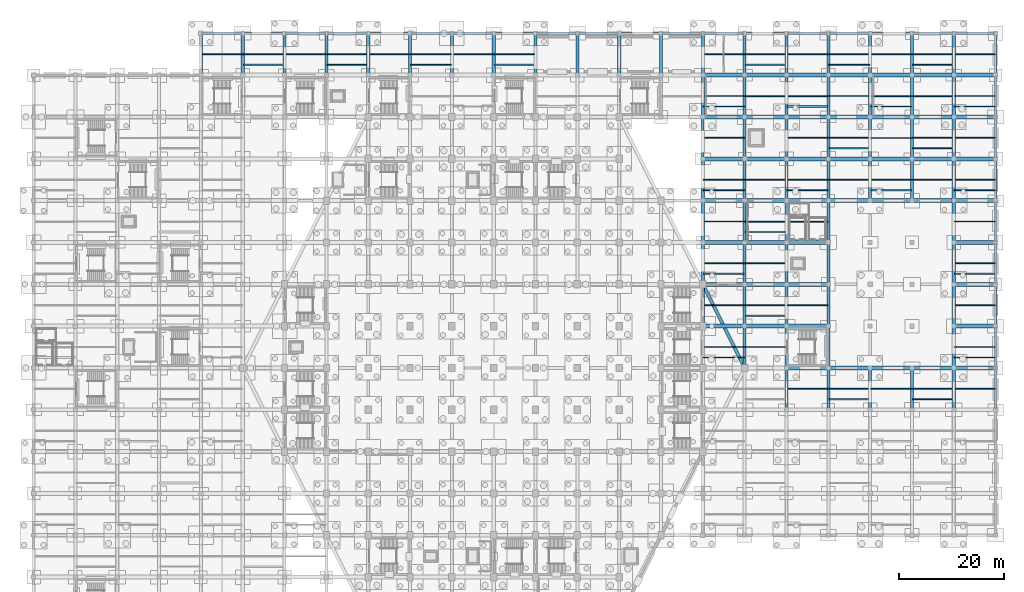
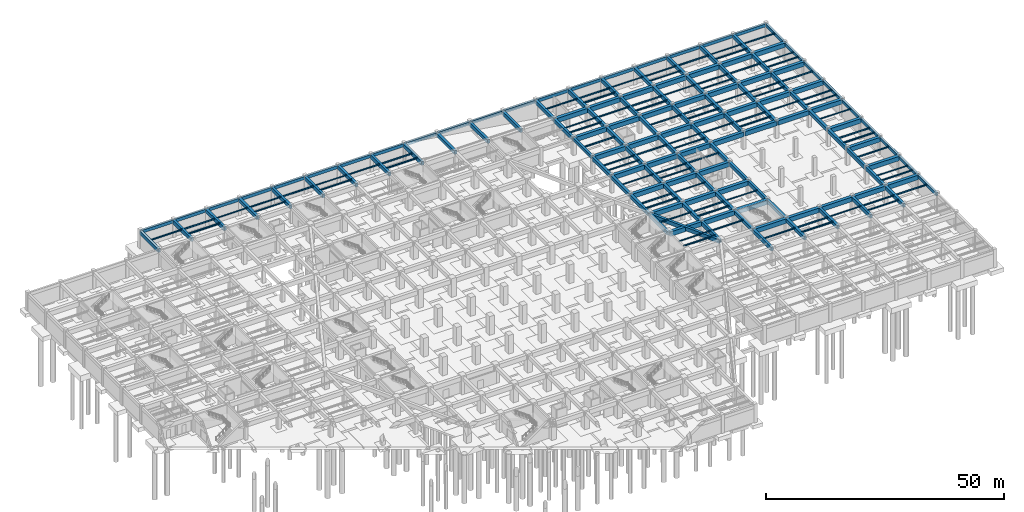
# One storey, part 20 of 36: 217 beams.
"""IFC4 building model written with IfcOpenShell, lengths in metres."""

from ifc_helpers import new_model, si_unit, direction, frame, origin, origin_2d, place, context, subcontext, project, spatial, rectangle, i_section, extrude, material, material_profile, profile_set, type_object, element, save


model = new_model("IFC4")

# Units and contexts
model_context = context("Model", 3, precision=1e-05, world=origin(), true_north=direction((0.0, 1.0)))
body_context = subcontext(model_context, "Body", "Model", "MODEL_VIEW")
ifc_project = project(units=[si_unit("LENGTHUNIT", "METRE"), si_unit("AREAUNIT", "SQUARE_METRE"), si_unit("VOLUMEUNIT", "CUBIC_METRE"), si_unit("PLANEANGLEUNIT", "RADIAN"), si_unit("MASSUNIT", "GRAM", prefix="KILO")], contexts=[model_context])

# Site, building, storey
site_placement = place(None, origin())
site = spatial("IfcSite", under=ifc_project, at=site_placement, CompositionType="ELEMENT")
building_placement = place(site_placement, origin())
building = spatial("IfcBuilding", under=site, at=building_placement, Name="Tazarka Park Arena", CompositionType="ELEMENT")
storey_placement = place(building_placement, frame((0.0, 0.0, -4.800048828125)))
storey = spatial("IfcBuildingStorey", under=building, at=storey_placement, Name="B1", CompositionType="ELEMENT", Elevation=-4.800048828125)

# Beams
ifc_material_1 = material(Name="Concrete C40/50", Category="concrete")
ifc_material_profile_1 = material_profile(ifc_material_1, rectangle(XDim=0.60009765625, YDim=0.949951171875, at=origin_2d()), Name="Concrete C40/50")
ifc_profile_set_1 = profile_set([ifc_material_profile_1], Name="Concrete C40/50")
beam_type_1 = type_object("IfcBeamType", Name="BM-B-03", PredefinedType="BEAM", material=ifc_profile_set_1)
for number, where, z_axis, x_axis, name in (
    (1, (32.0, 120.1201171875, 3.945068359375), (0.0, 1.0, 0.0), (-1.0, 0.0, 0.0), "GYM-B1-04-15"),
    (2, (40.0, 120.1201171875, 3.945068359375), (0.0, 1.0, 0.0), (-1.0, 0.0, 0.0), "GYM-B1-05-15"),
    (3, (48.0, 120.1201171875, 3.945068359375), (0.0, 1.0, 0.0), (-1.0, 0.0, 0.0), "GYM-B1-06-15"),
    (4, (56.0, 120.1201171875, 3.945068359375), (0.0, 1.0, 0.0), (-1.0, 0.0, 0.0), "GYM-B1-07-15"),
    (5, (64.0, 120.1201171875, 3.945068359375), (0.0, 1.0, 0.0), (-1.0, 0.0, 0.0), "GYM-B1-08-15"),
    (6, (72.0, 120.1201171875, 3.945068359375), (0.0, 1.0, 0.0), (-1.0, 0.0, 0.0), "GYM-B1-09-15"),
    (7, (80.0, 120.1201171875, 3.945068359375), (0.0, 1.0, 0.0), (-1.0, 0.0, 0.0), "GYM-B1-10-15"),
    (8, (88.0, 120.1201171875, 3.945068359375), (0.0, 1.0, 0.0), (-1.0, 0.0, 0.0), "GYM-B1-11-15"),
    (9, (96.0, 120.1201171875, 3.945068359375), (0.0, 1.0, 0.0), (-1.0, 0.0, 0.0), "GYM-B1-12-15"),
    (10, (104.0, 120.1201171875, 3.945068359375), (0.0, 1.0, 0.0), (-1.0, 0.0, 0.0), "GYM-B1-13-15"),
    (11, (112.0, 120.1201171875, 3.945068359375), (0.0, 1.0, 0.0), (-1.0, 0.0, 0.0), "GYM-B1-14-15"),
    (12, (120.0, 120.1201171875, 3.945068359375), (0.0, 1.0, 0.0), (-1.0, 0.0, 0.0), "GYM-B1-15-15"),
    (13, (128.0, 72.1201171875, 3.945068359375), (0.0, 1.0, 0.0), (-1.0, 0.0, 0.0), "GYM-B1-16-09"),
    (14, (128.0, 80.1201171875, 3.945068359375), (0.0, 1.0, 0.0), (-1.0, 0.0, 0.0), "GYM-B1-16-10"),
    (15, (128.0, 88.1201171875, 3.945068359375), (0.0, 1.0, 0.0), (-1.0, 0.0, 0.0), "GYM-B1-16-11"),
    (16, (128.0, 96.1201171875, 3.945068359375), (0.0, 1.0, 0.0), (-1.0, 0.0, 0.0), "GYM-B1-16-12"),
    (17, (128.0, 112.1201171875, 3.945068359375), (0.0, 1.0, 0.0), (-1.0, 0.0, 0.0), "GYM-B1-16-14"),
    (18, (128.0, 120.1201171875, 3.945068359375), (0.0, 1.0, 0.0), (-1.0, 0.0, 0.0), "GYM-B1-16-15"),
    (19, (136.0, 64.1201171875, 3.945068359375), (0.0, 1.0, 0.0), (-1.0, 0.0, 0.0), "GYM-B1-17-08"),
    (20, (136.0, 72.1201171875, 3.945068359375), (0.0, 1.0, 0.0), (-1.0, 0.0, 0.0), "GYM-B1-17-09"),
    (21, (136.0, 80.1201171875, 3.945068359375), (0.0, 1.0, 0.0), (-1.0, 0.0, 0.0), "GYM-B1-17-10"),
    (22, (136.0, 88.1201171875, 3.945068359375), (0.0, 1.0, 0.0), (-1.0, 0.0, 0.0), "GYM-B1-17-11"),
    (23, (136.0, 96.1201171875, 3.945068359375), (0.0, 1.0, 0.0), (-1.0, 0.0, 0.0), "GYM-B1-17-12"),
    (24, (136.0, 104.1201171875, 3.945068359375), (0.0, 1.0, 0.0), (-1.0, 0.0, 0.0), "GYM-B1-17-13"),
    (25, (136.0, 112.1201171875, 3.945068359375), (0.0, 1.0, 0.0), (-1.0, 0.0, 0.0), "GYM-B1-17-14"),
    (26, (136.0, 120.1201171875, 3.945068359375), (0.0, 1.0, 0.0), (-1.0, 0.0, 0.0), "GYM-B1-17-15"),
    (27, (144.0, 56.1201171875, 3.945068359375), (0.0, 1.0, 0.0), (-1.0, 0.0, 0.0), "GYM-B1-18-07"),
    (28, (144.0, 64.1201171875, 3.945068359375), (0.0, 1.0, 0.0), (-1.0, 0.0, 0.0), "GYM-B1-18-08"),
    (29, (144.0, 72.1201171875, 3.945068359375), (0.0, 1.0, 0.0), (-1.0, 0.0, 0.0), "GYM-B1-18-09"),
    (30, (144.0, 80.1201171875, 3.945068359375), (0.0, 1.0, 0.0), (-1.0, 0.0, 0.0), "GYM-B1-18-10"),
    (31, (144.0, 88.1201171875, 3.945068359375), (0.0, 1.0, 0.0), (-1.0, 0.0, 0.0), "GYM-B1-18-11"),
    (32, (144.0, 96.1201171875, 3.945068359375), (0.0, 1.0, 0.0), (-1.0, 0.0, 0.0), "GYM-B1-18-12"),
    (33, (144.0, 104.1201171875, 3.945068359375), (0.0, 1.0, 0.0), (-1.0, 0.0, 0.0), "GYM-B1-18-13"),
    (34, (144.0, 112.1201171875, 3.945068359375), (0.0, 1.0, 0.0), (-1.0, 0.0, 0.0), "GYM-B1-18-14"),
    (35, (144.0, 120.1201171875, 3.945068359375), (0.0, 1.0, 0.0), (-1.0, 0.0, 0.0), "GYM-B1-18-15"),
    (36, (152.0, 56.1201171875, 3.945068359375), (0.0, 1.0, 0.0), (-1.0, 0.0, 0.0), "GYM-B1-19-07"),
    (37, (152.0, 64.1201171875, 3.945068359375), (0.0, 1.0, 0.0), (-1.0, 0.0, 0.0), "GYM-B1-19-08"),
    (38, (152.0, 72.1201171875, 3.945068359375), (0.0, 1.0, 0.0), (-1.0, 0.0, 0.0), "GYM-B1-19-09"),
    (39, (152.0, 80.1201171875, 3.945068359375), (0.0, 1.0, 0.0), (-1.0, 0.0, 0.0), "GYM-B1-19-10"),
    (40, (152.0, 88.1201171875, 3.945068359375), (0.0, 1.0, 0.0), (-1.0, 0.0, 0.0), "GYM-B1-19-11"),
    (41, (152.0, 96.1201171875, 3.945068359375), (0.0, 1.0, 0.0), (-1.0, 0.0, 0.0), "GYM-B1-19-12"),
    (42, (152.0, 104.1201171875, 3.945068359375), (0.0, 1.0, 0.0), (-1.0, 0.0, 0.0), "GYM-B1-19-13"),
    (43, (152.0, 112.1201171875, 3.945068359375), (0.0, 1.0, 0.0), (-1.0, 0.0, 0.0), "GYM-B1-19-14"),
    (44, (152.0, 120.1201171875, 3.945068359375), (0.0, 1.0, 0.0), (-1.0, 0.0, 0.0), "GYM-B1-19-15"),
    (45, (160.0, 56.1201171875, 3.945068359375), (0.0, 1.0, 0.0), (-1.0, 0.0, 0.0), "GYM-B1-20-07"),
    (46, (160.0, 96.1201171875, 3.945068359375), (0.0, 1.0, 0.0), (-1.0, 0.0, 0.0), "GYM-B1-20-12"),
    (47, (160.0, 104.1201171875, 3.945068359375), (0.0, 1.0, 0.0), (-1.0, 0.0, 0.0), "GYM-B1-20-13"),
    (48, (160.0, 112.1201171875, 3.945068359375), (0.0, 1.0, 0.0), (-1.0, 0.0, 0.0), "GYM-B1-20-14"),
    (49, (160.0, 120.1201171875, 3.945068359375), (0.0, 1.0, 0.0), (-1.0, 0.0, 0.0), "GYM-B1-20-15"),
    (50, (168.0, 56.1201171875, 3.945068359375), (0.0, 1.0, 0.0), (-1.0, 0.0, 0.0), "GYM-B1-21-07"),
    (51, (168.0, 96.1201171875, 3.945068359375), (0.0, 1.0, 0.0), (-1.0, 0.0, 0.0), "GYM-B1-21-12"),
    (52, (168.0, 104.1201171875, 3.945068359375), (0.0, 1.0, 0.0), (-1.0, 0.0, 0.0), "GYM-B1-21-13"),
    (53, (168.0, 112.1201171875, 3.945068359375), (0.0, 1.0, 0.0), (-1.0, 0.0, 0.0), "GYM-B1-21-14"),
    (54, (168.0, 120.1201171875, 3.945068359375), (0.0, 1.0, 0.0), (-1.0, 0.0, 0.0), "GYM-B1-21-15"),
    (55, (176.0, 56.1201171875, 3.945068359375), (0.0, 1.0, 0.0), (-1.0, 0.0, 0.0), "GYM-B1-22-07"),
    (56, (176.0, 64.1201171875, 3.945068359375), (0.0, 1.0, 0.0), (-1.0, 0.0, 0.0), "GYM-B1-22-08"),
    (57, (176.0, 72.1201171875, 3.945068359375), (0.0, 1.0, 0.0), (-1.0, 0.0, 0.0), "GYM-B1-22-09"),
    (58, (176.0, 80.1201171875, 3.945068359375), (0.0, 1.0, 0.0), (-1.0, 0.0, 0.0), "GYM-B1-22-10"),
    (59, (176.0, 88.1201171875, 3.945068359375), (0.0, 1.0, 0.0), (-1.0, 0.0, 0.0), "GYM-B1-22-11"),
    (60, (176.0, 96.1201171875, 3.945068359375), (0.0, 1.0, 0.0), (-1.0, 0.0, 0.0), "GYM-B1-22-12"),
    (61, (176.0, 104.1201171875, 3.945068359375), (0.0, 1.0, 0.0), (-1.0, 0.0, 0.0), "GYM-B1-22-13"),
    (62, (176.0, 112.1201171875, 3.945068359375), (0.0, 1.0, 0.0), (-1.0, 0.0, 0.0), "GYM-B1-22-14"),
    (63, (176.0, 120.1201171875, 3.945068359375), (0.0, 1.0, 0.0), (-1.0, 0.0, 0.0), "GYM-B1-22-15"),
):
    element("IfcBeam", number, at=place(storey_placement, frame(where, z_axis=z_axis, x_axis=x_axis)), inside=storey, type_object=beam_type_1, Name=name, PredefinedType="BEAM", context=body_context, shape_type="SweptSolid", body=[
        extrude(rectangle(XDim=0.60009765625, YDim=0.949951171875, at=origin_2d()), origin(), (0.0, 0.0, 1.0), 7.759765625),
    ])
ifc_material_2 = material(Name="Concrete C40/50", Category="concrete")
ifc_material_profile_2 = material_profile(ifc_material_2, rectangle(XDim=0.75, YDim=1.14990234375, at=origin_2d()), Name="Concrete C40/50")
ifc_profile_set_2 = profile_set([ifc_material_profile_2], Name="Concrete C40/50")
beam_type_2 = type_object("IfcBeamType", Name="BM-B-04", PredefinedType="BEAM", material=ifc_profile_set_2)
for number, where, z_axis, x_axis, name in (
    (64, (128.1201171875, 72.0, 3.844970703125), (1.0, 0.0, 0.0), (0.0, 1.0, 0.0), "GXM-B1-16-09"),
    (65, (128.1201171875, 80.0, 3.844970703125), (1.0, 0.0, 0.0), (0.0, 1.0, 0.0), "GXM-B1-16-10"),
    (66, (128.1201171875, 88.0, 3.844970703125), (1.0, 0.0, 0.0), (0.0, 1.0, 0.0), "GXM-B1-16-11"),
    (67, (128.1201171875, 96.0, 3.844970703125), (1.0, 0.0, 0.0), (0.0, 1.0, 0.0), "GXM-B1-16-12"),
    (68, (128.1201171875, 104.0, 3.844970703125), (1.0, 0.0, 0.0), (0.0, 1.0, 0.0), "GXM-B1-16-13"),
    (69, (128.1201171875, 112.0, 3.844970703125), (1.0, 0.0, 0.0), (0.0, 1.0, 0.0), "GXM-B1-16-14"),
    (70, (128.1201171875, 120.0, 3.844970703125), (1.0, 0.0, 0.0), (0.0, 1.0, 0.0), "GXM-B1-16-15"),
    (71, (136.1201171875, 72.0, 3.844970703125), (1.0, 0.0, 0.0), (0.0, 1.0, 0.0), "GXM-B1-17-09"),
    (72, (136.1201171875, 80.0, 3.844970703125), (1.0, 0.0, 0.0), (0.0, 1.0, 0.0), "GXM-B1-17-10"),
    (73, (136.1201171875, 88.0, 3.844970703125), (1.0, 0.0, 0.0), (0.0, 1.0, 0.0), "GXM-B1-17-11"),
    (74, (136.1201171875, 96.0, 3.844970703125), (1.0, 0.0, 0.0), (0.0, 1.0, 0.0), "GXM-B1-17-12"),
    (75, (136.1201171875, 104.0, 3.844970703125), (1.0, 0.0, 0.0), (0.0, 1.0, 0.0), "GXM-B1-17-13"),
    (76, (136.1201171875, 112.0, 3.844970703125), (1.0, 0.0, 0.0), (0.0, 1.0, 0.0), "GXM-B1-17-14"),
    (77, (136.1201171875, 120.0, 3.844970703125), (1.0, 0.0, 0.0), (0.0, 1.0, 0.0), "GXM-B1-17-15"),
    (78, (144.1201171875, 64.0, 3.844970703125), (1.0, 0.0, 0.0), (0.0, 1.0, 0.0), "GXM-B1-18-08"),
    (79, (144.1201171875, 72.0, 3.844970703125), (1.0, 0.0, 0.0), (0.0, 1.0, 0.0), "GXM-B1-18-09"),
    (80, (144.1201171875, 80.0, 3.844970703125), (1.0, 0.0, 0.0), (0.0, 1.0, 0.0), "GXM-B1-18-10"),
    (81, (144.1201171875, 88.0, 3.844970703125), (1.0, 0.0, 0.0), (0.0, 1.0, 0.0), "GXM-B1-18-11"),
    (82, (144.1201171875, 96.0, 3.844970703125), (1.0, 0.0, 0.0), (0.0, 1.0, 0.0), "GXM-B1-18-12"),
    (83, (144.1201171875, 104.0, 3.844970703125), (1.0, 0.0, 0.0), (0.0, 1.0, 0.0), "GXM-B1-18-13"),
    (84, (144.1201171875, 112.0, 3.844970703125), (1.0, 0.0, 0.0), (0.0, 1.0, 0.0), "GXM-B1-18-14"),
    (85, (144.1201171875, 120.0, 3.844970703125), (1.0, 0.0, 0.0), (0.0, 1.0, 0.0), "GXM-B1-18-15"),
    (86, (152.1201171875, 64.0, 3.844970703125), (1.0, 0.0, 0.0), (0.0, 1.0, 0.0), "GXM-B1-19-08"),
    (87, (152.1201171875, 96.0, 3.844970703125), (1.0, 0.0, 0.0), (0.0, 1.0, 0.0), "GXM-B1-19-12"),
    (88, (152.1201171875, 104.0, 3.844970703125), (1.0, 0.0, 0.0), (0.0, 1.0, 0.0), "GXM-B1-19-13"),
    (89, (152.1201171875, 112.0, 3.844970703125), (1.0, 0.0, 0.0), (0.0, 1.0, 0.0), "GXM-B1-19-14"),
    (90, (152.1201171875, 120.0, 3.844970703125), (1.0, 0.0, 0.0), (0.0, 1.0, 0.0), "GXM-B1-19-15"),
    (91, (160.1201171875, 64.0, 3.844970703125), (1.0, 0.0, 0.0), (0.0, 1.0, 0.0), "GXM-B1-20-08"),
    (92, (160.1201171875, 96.0, 3.844970703125), (1.0, 0.0, 0.0), (0.0, 1.0, 0.0), "GXM-B1-20-12"),
    (93, (160.1201171875, 104.0, 3.844970703125), (1.0, 0.0, 0.0), (0.0, 1.0, 0.0), "GXM-B1-20-13"),
    (94, (160.1201171875, 112.0, 3.844970703125), (1.0, 0.0, 0.0), (0.0, 1.0, 0.0), "GXM-B1-20-14"),
    (95, (160.1201171875, 120.0, 3.844970703125), (1.0, 0.0, 0.0), (0.0, 1.0, 0.0), "GXM-B1-20-15"),
    (96, (168.1201171875, 64.0, 3.844970703125), (1.0, 0.0, 0.0), (0.0, 1.0, 0.0), "GXM-B1-21-08"),
    (97, (168.1201171875, 96.0, 3.844970703125), (1.0, 0.0, 0.0), (0.0, 1.0, 0.0), "GXM-B1-21-12"),
    (98, (168.1201171875, 104.0, 3.844970703125), (1.0, 0.0, 0.0), (0.0, 1.0, 0.0), "GXM-B1-21-13"),
    (99, (168.1201171875, 112.0, 3.844970703125), (1.0, 0.0, 0.0), (0.0, 1.0, 0.0), "GXM-B1-21-14"),
    (100, (168.1201171875, 120.0, 3.844970703125), (1.0, 0.0, 0.0), (0.0, 1.0, 0.0), "GXM-B1-21-15"),
    (101, (176.1201171875, 64.0, 3.844970703125), (1.0, 0.0, 0.0), (0.0, 1.0, 0.0), "GXM-B1-22-08"),
    (102, (176.1201171875, 72.0, 3.844970703125), (1.0, 0.0, 0.0), (0.0, 1.0, 0.0), "GXM-B1-22-09"),
    (103, (176.1201171875, 80.0, 3.844970703125), (1.0, 0.0, 0.0), (0.0, 1.0, 0.0), "GXM-B1-22-10"),
    (104, (176.1201171875, 88.0, 3.844970703125), (1.0, 0.0, 0.0), (0.0, 1.0, 0.0), "GXM-B1-22-11"),
    (105, (176.1201171875, 96.0, 3.844970703125), (1.0, 0.0, 0.0), (0.0, 1.0, 0.0), "GXM-B1-22-12"),
    (106, (176.1201171875, 104.0, 3.844970703125), (1.0, 0.0, 0.0), (0.0, 1.0, 0.0), "GXM-B1-22-13"),
    (107, (176.1201171875, 112.0, 3.844970703125), (1.0, 0.0, 0.0), (0.0, 1.0, 0.0), "GXM-B1-22-14"),
    (108, (176.1201171875, 120.0, 3.844970703125), (1.0, 0.0, 0.0), (0.0, 1.0, 0.0), "GXM-B1-22-15"),
):
    element("IfcBeam", number, at=place(storey_placement, frame(where, z_axis=z_axis, x_axis=x_axis)), inside=storey, type_object=beam_type_2, Name=name, PredefinedType="BEAM", context=body_context, shape_type="SweptSolid", body=[
        extrude(rectangle(XDim=0.75, YDim=1.14990234375, at=origin_2d()), origin(), (0.0, 0.0, 1.0), 7.759765625),
    ])
ifc_material_3 = material(Name="Steel S355", Category="steel")
ifc_material_profile_3 = material_profile(ifc_material_3, i_section(OverallWidth=0.14990234375, OverallDepth=0.300048828125, WebThickness=0.007080078125, FlangeThickness=0.0107421875, FilletRadius=0.014892578125, at=origin_2d()), Name="Steel S355")
ifc_profile_set_3 = profile_set([ifc_material_profile_3], Name="Steel S355")
beam_type_3 = type_object("IfcBeamType", Name="BM-J-01", PredefinedType="JOIST", material=ifc_profile_set_3)
for number, where, z_axis, x_axis, name in (
    (109, (48.1201171875, 124.0, 4.27001953125), (1.0, 0.0, 0.0), (0.0, 1.0, 0.0), "JST-B1-06-15"),
    (110, (72.1201171875, 124.0, 4.27001953125), (1.0, 0.0, 0.0), (0.0, 1.0, 0.0), "JST-B1-09-15"),
    (111, (128.1201171875, 68.0, 4.27001953125), (1.0, 0.0, 0.0), (0.0, 1.0, 0.0), "JST-B1-16-08"),
    (112, (128.1201171875, 92.0, 4.27001953125), (1.0, 0.0, 0.0), (0.0, 1.0, 0.0), "JST-B1-16-11"),
    (113, (128.1201171875, 116.0, 4.27001953125), (1.0, 0.0, 0.0), (0.0, 1.0, 0.0), "JST-B1-16-14"),
    (114, (136.1201171875, 84.0, 4.27001953125), (1.0, 0.0, 0.0), (0.0, 1.0, 0.0), "JST-B1-17-10"),
    (115, (144.1201171875, 76.0, 4.27001953125), (1.0, 0.0, 0.0), (0.0, 1.0, 0.0), "JST-B1-18-09"),
    (116, (144.1201171875, 100.0, 4.27001953125), (1.0, 0.0, 0.0), (0.0, 1.0, 0.0), "JST-B1-18-12"),
    (117, (144.1201171875, 124.0, 4.27001953125), (1.0, 0.0, 0.0), (0.0, 1.0, 0.0), "JST-B1-18-15"),
    (118, (152.1201171875, 116.0, 4.27001953125), (1.0, 0.0, 0.0), (0.0, 1.0, 0.0), "JST-B1-19-14"),
    (119, (160.1201171875, 60.0, 4.27001953125), (1.0, 0.0, 0.0), (0.0, 1.0, 0.0), "JST-B1-20-07"),
    (120, (160.1201171875, 108.0, 4.27001953125), (1.0, 0.0, 0.0), (0.0, 1.0, 0.0), "JST-B1-20-13"),
    (121, (168.1201171875, 100.0, 4.27001953125), (1.0, 0.0, 0.0), (0.0, 1.0, 0.0), "JST-B1-21-12"),
    (122, (168.1201171875, 124.0, 4.27001953125), (1.0, 0.0, 0.0), (0.0, 1.0, 0.0), "JST-B1-21-15"),
    (123, (176.1201171875, 68.0, 4.27001953125), (1.0, 0.0, 0.0), (0.0, 1.0, 0.0), "JST-B1-22-08"),
    (124, (176.1201171875, 92.0, 4.27001953125), (1.0, 0.0, 0.0), (0.0, 1.0, 0.0), "JST-B1-22-11"),
    (125, (176.1201171875, 116.0, 4.27001953125), (1.0, 0.0, 0.0), (0.0, 1.0, 0.0), "JST-B1-22-14"),
):
    element("IfcBeam", number, at=place(storey_placement, frame(where, z_axis=z_axis, x_axis=x_axis)), inside=storey, type_object=beam_type_3, Name=name, PredefinedType="JOIST", context=body_context, shape_type="SweptSolid", body=[
        extrude(i_section(OverallWidth=0.14990234375, OverallDepth=0.300048828125, WebThickness=0.007080078125, FlangeThickness=0.0107421875, FilletRadius=0.014892578125, at=origin_2d()), origin(), (0.0, 0.0, 1.0), 7.759765625),
    ])
ifc_material_4 = material(Name="Steel S355", Category="steel")
ifc_material_profile_4 = material_profile(ifc_material_4, i_section(OverallWidth=0.169921875, OverallDepth=0.360107421875, WebThickness=0.008056640625, FlangeThickness=0.0126953125, FilletRadius=0.01806640625, at=origin_2d()), Name="Steel S355")
ifc_profile_set_4 = profile_set([ifc_material_profile_4], Name="Steel S355")
beam_type_4 = type_object("IfcBeamType", Name="BM-J-02", PredefinedType="JOIST", material=ifc_profile_set_4)
for number, where, z_axis, x_axis, name in (
    (126, (32.1201171875, 124.0, 4.239990234375), (1.0, 0.0, 0.0), (0.0, 1.0, 0.0), "JST-B1-04-15"),
    (127, (56.1201171875, 124.0, 4.239990234375), (1.0, 0.0, 0.0), (0.0, 1.0, 0.0), "JST-B1-07-15"),
    (128, (80.1201171875, 124.0, 4.239990234375), (1.0, 0.0, 0.0), (0.0, 1.0, 0.0), "JST-B1-10-15"),
    (129, (128.1201171875, 76.0, 4.239990234375), (1.0, 0.0, 0.0), (0.0, 1.0, 0.0), "JST-B1-16-09"),
    (130, (128.1201171875, 100.0, 4.239990234375), (1.0, 0.0, 0.0), (0.0, 1.0, 0.0), "JST-B1-16-12"),
    (131, (128.1201171875, 124.0, 4.239990234375), (1.0, 0.0, 0.0), (0.0, 1.0, 0.0), "JST-B1-16-15"),
    (132, (136.1201171875, 68.0, 4.239990234375), (1.0, 0.0, 0.0), (0.0, 1.0, 0.0), "JST-B1-17-08"),
    (133, (136.1201171875, 92.0, 4.239990234375), (1.0, 0.0, 0.0), (0.0, 1.0, 0.0), "JST-B1-17-11"),
    (134, (136.1201171875, 116.0, 4.239990234375), (1.0, 0.0, 0.0), (0.0, 1.0, 0.0), "JST-B1-17-14"),
    (135, (144.1201171875, 60.0, 4.239990234375), (1.0, 0.0, 0.0), (0.0, 1.0, 0.0), "JST-B1-18-07"),
    (136, (144.1201171875, 108.0, 4.239990234375), (1.0, 0.0, 0.0), (0.0, 1.0, 0.0), "JST-B1-18-13"),
    (137, (152.1201171875, 100.0, 4.239990234375), (1.0, 0.0, 0.0), (0.0, 1.0, 0.0), "JST-B1-19-12"),
    (138, (152.1201171875, 124.0, 4.239990234375), (1.0, 0.0, 0.0), (0.0, 1.0, 0.0), "JST-B1-19-15"),
    (139, (160.1201171875, 116.0, 4.239990234375), (1.0, 0.0, 0.0), (0.0, 1.0, 0.0), "JST-B1-20-14"),
    (140, (168.1201171875, 60.0, 4.239990234375), (1.0, 0.0, 0.0), (0.0, 1.0, 0.0), "JST-B1-21-07"),
    (141, (168.1201171875, 108.0, 4.239990234375), (1.0, 0.0, 0.0), (0.0, 1.0, 0.0), "JST-B1-21-13"),
    (142, (176.1201171875, 76.0, 4.239990234375), (1.0, 0.0, 0.0), (0.0, 1.0, 0.0), "JST-B1-22-09"),
    (143, (176.1201171875, 100.0, 4.239990234375), (1.0, 0.0, 0.0), (0.0, 1.0, 0.0), "JST-B1-22-12"),
    (144, (176.1201171875, 124.0, 4.239990234375), (1.0, 0.0, 0.0), (0.0, 1.0, 0.0), "JST-B1-22-15"),
):
    element("IfcBeam", number, at=place(storey_placement, frame(where, z_axis=z_axis, x_axis=x_axis)), inside=storey, type_object=beam_type_4, Name=name, PredefinedType="JOIST", context=body_context, shape_type="SweptSolid", body=[
        extrude(i_section(OverallWidth=0.169921875, OverallDepth=0.360107421875, WebThickness=0.008056640625, FlangeThickness=0.0126953125, FilletRadius=0.01806640625, at=origin_2d()), origin(), (0.0, 0.0, 1.0), 7.759765625),
    ])
ifc_material_5 = material(Name="Steel S355", Category="steel")
ifc_material_profile_5 = material_profile(ifc_material_5, i_section(OverallWidth=0.179931640625, OverallDepth=0.39990234375, WebThickness=0.008544921875, FlangeThickness=0.013427734375, FilletRadius=0.02099609375, at=origin_2d()), Name="Steel S355")
ifc_profile_set_5 = profile_set([ifc_material_profile_5], Name="Steel S355")
beam_type_5 = type_object("IfcBeamType", Name="BM-J-03", PredefinedType="JOIST", material=ifc_profile_set_5)
for number, where, z_axis, x_axis, name in (
    (145, (40.1201171875, 124.0, 4.219970703125), (1.0, 0.0, 0.0), (0.0, 1.0, 0.0), "JST-B1-05-15"),
    (146, (64.1201171875, 124.0, 4.219970703125), (1.0, 0.0, 0.0), (0.0, 1.0, 0.0), "JST-B1-08-15"),
    (147, (88.1201171875, 124.0, 4.219970703125), (1.0, 0.0, 0.0), (0.0, 1.0, 0.0), "JST-B1-11-15"),
    (148, (128.1201171875, 84.0, 4.219970703125), (1.0, 0.0, 0.0), (0.0, 1.0, 0.0), "JST-B1-16-10"),
    (149, (128.1201171875, 108.0, 4.219970703125), (1.0, 0.0, 0.0), (0.0, 1.0, 0.0), "JST-B1-16-13"),
    (150, (136.1201171875, 76.0, 4.219970703125), (1.0, 0.0, 0.0), (0.0, 1.0, 0.0), "JST-B1-17-09"),
    (151, (136.1201171875, 100.0, 4.219970703125), (1.0, 0.0, 0.0), (0.0, 1.0, 0.0), "JST-B1-17-12"),
    (152, (136.1201171875, 124.0, 4.219970703125), (1.0, 0.0, 0.0), (0.0, 1.0, 0.0), "JST-B1-17-15"),
    (153, (144.1201171875, 92.0, 4.219970703125), (1.0, 0.0, 0.0), (0.0, 1.0, 0.0), "JST-B1-18-11"),
    (154, (144.1201171875, 116.0, 4.219970703125), (1.0, 0.0, 0.0), (0.0, 1.0, 0.0), "JST-B1-18-14"),
    (155, (152.1201171875, 60.0, 4.219970703125), (1.0, 0.0, 0.0), (0.0, 1.0, 0.0), "JST-B1-19-07"),
    (156, (152.1201171875, 108.0, 4.219970703125), (1.0, 0.0, 0.0), (0.0, 1.0, 0.0), "JST-B1-19-13"),
    (157, (160.1201171875, 100.0, 4.219970703125), (1.0, 0.0, 0.0), (0.0, 1.0, 0.0), "JST-B1-20-12"),
    (158, (160.1201171875, 124.0, 4.219970703125), (1.0, 0.0, 0.0), (0.0, 1.0, 0.0), "JST-B1-20-15"),
    (159, (168.1201171875, 116.0, 4.219970703125), (1.0, 0.0, 0.0), (0.0, 1.0, 0.0), "JST-B1-21-14"),
    (160, (176.1201171875, 60.0, 4.219970703125), (1.0, 0.0, 0.0), (0.0, 1.0, 0.0), "JST-B1-22-07"),
    (161, (176.1201171875, 84.0, 4.219970703125), (1.0, 0.0, 0.0), (0.0, 1.0, 0.0), "JST-B1-22-10"),
    (162, (176.1201171875, 108.0, 4.219970703125), (1.0, 0.0, 0.0), (0.0, 1.0, 0.0), "JST-B1-22-13"),
):
    element("IfcBeam", number, at=place(storey_placement, frame(where, z_axis=z_axis, x_axis=x_axis)), inside=storey, type_object=beam_type_5, Name=name, PredefinedType="JOIST", context=body_context, shape_type="SweptSolid", body=[
        extrude(i_section(OverallWidth=0.179931640625, OverallDepth=0.39990234375, WebThickness=0.008544921875, FlangeThickness=0.013427734375, FilletRadius=0.02099609375, at=origin_2d()), origin(), (0.0, 0.0, 1.0), 7.759765625),
    ])
ifc_material_6 = material(Name="Steel S355", Category="steel")
ifc_material_profile_6 = material_profile(ifc_material_6, i_section(OverallWidth=0.135009765625, OverallDepth=0.27001953125, WebThickness=0.006591796875, FlangeThickness=0.01025390625, FilletRadius=0.014892578125, at=origin_2d()), Name="Steel S355")
ifc_profile_set_6 = profile_set([ifc_material_profile_6], Name="Steel S355")
beam_type_6 = type_object("IfcBeamType", Name="BM-J-04", PredefinedType="JOIST", material=ifc_profile_set_6)
for number, where, z_axis, x_axis, name in (
    (163, (72.1201171875, 122.0, 4.28515625), (1.0, 0.0, 0.0), (0.0, 1.0, 0.0), "JST2-B1-09-15"),
    (164, (128.1201171875, 66.0, 4.28515625), (1.0, 0.0, 0.0), (0.0, 1.0, 0.0), "JST2-B1-16-08"),
    (165, (128.1201171875, 114.0, 4.28515625), (1.0, 0.0, 0.0), (0.0, 1.0, 0.0), "JST2-B1-16-14"),
    (166, (144.1201171875, 98.0, 4.28515625), (1.0, 0.0, 0.0), (0.0, 1.0, 0.0), "JST2-B1-18-12"),
    (167, (168.1201171875, 122.0, 4.28515625), (1.0, 0.0, 0.0), (0.0, 1.0, 0.0), "JST2-B1-21-15"),
    (168, (176.1201171875, 66.0, 4.28515625), (1.0, 0.0, 0.0), (0.0, 1.0, 0.0), "JST2-B1-22-08"),
    (169, (176.1201171875, 114.0, 4.28515625), (1.0, 0.0, 0.0), (0.0, 1.0, 0.0), "JST2-B1-22-14"),
):
    element("IfcBeam", number, at=place(storey_placement, frame(where, z_axis=z_axis, x_axis=x_axis)), inside=storey, type_object=beam_type_6, Name=name, PredefinedType="JOIST", context=body_context, shape_type="SweptSolid", body=[
        extrude(i_section(OverallWidth=0.135009765625, OverallDepth=0.27001953125, WebThickness=0.006591796875, FlangeThickness=0.01025390625, FilletRadius=0.014892578125, at=origin_2d()), origin(), (0.0, 0.0, 1.0), 7.759765625),
    ])
ifc_material_7 = material(Name="Steel S355", Category="steel")
ifc_material_profile_7 = material_profile(ifc_material_7, i_section(OverallWidth=0.159912109375, OverallDepth=0.330078125, WebThickness=0.007568359375, FlangeThickness=0.011474609375, FilletRadius=0.01806640625, at=origin_2d()), Name="Steel S355")
ifc_profile_set_7 = profile_set([ifc_material_profile_7], Name="Steel S355")
beam_type_7 = type_object("IfcBeamType", Name="BM-J-05", PredefinedType="JOIST", material=ifc_profile_set_7)
for number, where, z_axis, x_axis, name in (
    (170, (56.1201171875, 122.0, 4.255126953125), (1.0, 0.0, 0.0), (0.0, 1.0, 0.0), "JST2-B1-07-15"),
    (171, (128.1201171875, 98.0, 4.255126953125), (1.0, 0.0, 0.0), (0.0, 1.0, 0.0), "JST2-B1-16-12"),
    (172, (136.1201171875, 90.0, 4.255126953125), (1.0, 0.0, 0.0), (0.0, 1.0, 0.0), "JST2-B1-17-11"),
    (173, (152.1201171875, 122.0, 4.255126953125), (1.0, 0.0, 0.0), (0.0, 1.0, 0.0), "JST2-B1-19-15"),
    (174, (160.1201171875, 114.0, 4.255126953125), (1.0, 0.0, 0.0), (0.0, 1.0, 0.0), "JST2-B1-20-14"),
    (175, (168.1201171875, 58.0, 4.255126953125), (1.0, 0.0, 0.0), (0.0, 1.0, 0.0), "JST2-B1-21-07"),
    (176, (168.1201171875, 106.0, 4.255126953125), (1.0, 0.0, 0.0), (0.0, 1.0, 0.0), "JST2-B1-21-13"),
    (177, (176.1201171875, 98.0, 4.255126953125), (1.0, 0.0, 0.0), (0.0, 1.0, 0.0), "JST2-B1-22-12"),
):
    element("IfcBeam", number, at=place(storey_placement, frame(where, z_axis=z_axis, x_axis=x_axis)), inside=storey, type_object=beam_type_7, Name=name, PredefinedType="JOIST", context=body_context, shape_type="SweptSolid", body=[
        extrude(i_section(OverallWidth=0.159912109375, OverallDepth=0.330078125, WebThickness=0.007568359375, FlangeThickness=0.011474609375, FilletRadius=0.01806640625, at=origin_2d()), origin(), (0.0, 0.0, 1.0), 7.759765625),
    ])
ifc_material_8 = material(Name="Steel S355", Category="steel")
ifc_material_profile_8 = material_profile(ifc_material_8, i_section(OverallWidth=0.300048828125, OverallDepth=0.330078125, WebThickness=0.009521484375, FlangeThickness=0.0166015625, FilletRadius=0.027099609375, at=origin_2d()), Name="Steel S355")
ifc_profile_set_8 = profile_set([ifc_material_profile_8], Name="Steel S355")
beam_type_8 = type_object("IfcBeamType", Name="BM-J-06", PredefinedType="JOIST", material=ifc_profile_set_8)
for number, where, z_axis, x_axis, name in (
    (178, (40.1201171875, 122.0, 4.255126953125), (1.0, 0.0, 0.0), (0.0, 1.0, 0.0), "JST2-B1-05-15"),
    (179, (88.1201171875, 122.0, 4.255126953125), (1.0, 0.0, 0.0), (0.0, 1.0, 0.0), "JST2-B1-11-15"),
    (180, (128.1201171875, 82.0, 4.255126953125), (1.0, 0.0, 0.0), (0.0, 1.0, 0.0), "JST2-B1-16-10"),
    (181, (136.1201171875, 74.0, 4.255126953125), (1.0, 0.0, 0.0), (0.0, 1.0, 0.0), "JST2-B1-17-09"),
    (182, (136.1201171875, 122.0, 4.255126953125), (1.0, 0.0, 0.0), (0.0, 1.0, 0.0), "JST2-B1-17-15"),
    (183, (144.1201171875, 114.0, 4.255126953125), (1.0, 0.0, 0.0), (0.0, 1.0, 0.0), "JST2-B1-18-14"),
    (184, (152.1201171875, 58.0, 4.255126953125), (1.0, 0.0, 0.0), (0.0, 1.0, 0.0), "JST2-B1-19-07"),
    (185, (152.1201171875, 106.0, 4.255126953125), (1.0, 0.0, 0.0), (0.0, 1.0, 0.0), "JST2-B1-19-13"),
    (186, (160.1201171875, 98.0, 4.255126953125), (1.0, 0.0, 0.0), (0.0, 1.0, 0.0), "JST2-B1-20-12"),
    (187, (176.1201171875, 82.0, 4.255126953125), (1.0, 0.0, 0.0), (0.0, 1.0, 0.0), "JST2-B1-22-10"),
):
    element("IfcBeam", number, at=place(storey_placement, frame(where, z_axis=z_axis, x_axis=x_axis)), inside=storey, type_object=beam_type_8, Name=name, PredefinedType="JOIST", context=body_context, shape_type="SweptSolid", body=[
        extrude(i_section(OverallWidth=0.300048828125, OverallDepth=0.330078125, WebThickness=0.009521484375, FlangeThickness=0.0166015625, FilletRadius=0.027099609375, at=origin_2d()), origin(), (0.0, 0.0, 1.0), 7.759765625),
    ])
ifc_material_9 = material(Name="Concrete C40/50", Category="concrete")
ifc_material_profile_9 = material_profile(ifc_material_9, rectangle(XDim=0.5, YDim=0.800048828125, at=origin_2d()), Name="Concrete C40/50")
ifc_profile_set_9 = profile_set([ifc_material_profile_9], Name="Concrete C40/50")
beam_type_9 = type_object("IfcBeamType", Name="BM-SP-01", PredefinedType="SPANDREL", material=ifc_profile_set_9)
for number, where, z_axis, x_axis, name in (
    (188, (32.1201171875, 128.0, 4.02001953125), (1.0, 0.0, 0.0), (0.0, 1.0, 0.0), "GXM-B1-04-16"),
    (189, (40.1201171875, 128.0, 4.02001953125), (1.0, 0.0, 0.0), (0.0, 1.0, 0.0), "GXM-B1-05-16"),
    (190, (48.1201171875, 128.0, 4.02001953125), (1.0, 0.0, 0.0), (0.0, 1.0, 0.0), "GXM-B1-06-16"),
    (191, (56.1201171875, 128.0, 4.02001953125), (1.0, 0.0, 0.0), (0.0, 1.0, 0.0), "GXM-B1-07-16"),
    (192, (64.1201171875, 128.0, 4.02001953125), (1.0, 0.0, 0.0), (0.0, 1.0, 0.0), "GXM-B1-08-16"),
    (193, (72.1201171875, 128.0, 4.02001953125), (1.0, 0.0, 0.0), (0.0, 1.0, 0.0), "GXM-B1-09-16"),
    (194, (80.1201171875, 128.0, 4.02001953125), (1.0, 0.0, 0.0), (0.0, 1.0, 0.0), "GXM-B1-10-16"),
    (195, (88.1201171875, 128.0, 4.02001953125), (1.0, 0.0, 0.0), (0.0, 1.0, 0.0), "GXM-B1-11-16"),
    (196, (96.1201171875, 128.0, 4.02001953125), (1.0, 0.0, 0.0), (0.0, 1.0, 0.0), "GXM-B1-12-16"),
    (197, (104.1201171875, 128.0, 4.02001953125), (1.0, 0.0, 0.0), (0.0, 1.0, 0.0), "GXM-B1-13-16"),
    (198, (112.1201171875, 128.0, 4.02001953125), (1.0, 0.0, 0.0), (0.0, 1.0, 0.0), "GXM-B1-14-16"),
    (199, (120.1201171875, 128.0, 4.02001953125), (1.0, 0.0, 0.0), (0.0, 1.0, 0.0), "GXM-B1-15-16"),
    (200, (128.0, 104.1201171875, 4.02001953125), (0.0, 1.0, 0.0), (-1.0, 0.0, 0.0), "GYM-B1-16-13"),
    (201, (128.1201171875, 128.0, 4.02001953125), (1.0, 0.0, 0.0), (0.0, 1.0, 0.0), "GXM-B1-16-16"),
    (202, (136.1201171875, 128.0, 4.02001953125), (1.0, 0.0, 0.0), (0.0, 1.0, 0.0), "GXM-B1-17-16"),
    (203, (144.1201171875, 128.0, 4.02001953125), (1.0, 0.0, 0.0), (0.0, 1.0, 0.0), "GXM-B1-18-16"),
    (204, (152.1201171875, 128.0, 4.02001953125), (1.0, 0.0, 0.0), (0.0, 1.0, 0.0), "GXM-B1-19-16"),
    (205, (160.1201171875, 128.0, 4.02001953125), (1.0, 0.0, 0.0), (0.0, 1.0, 0.0), "GXM-B1-20-16"),
    (206, (168.1201171875, 128.0, 4.02001953125), (1.0, 0.0, 0.0), (0.0, 1.0, 0.0), "GXM-B1-21-16"),
    (207, (176.1201171875, 128.0, 4.02001953125), (1.0, 0.0, 0.0), (0.0, 1.0, 0.0), "GXM-B1-22-16"),
    (208, (184.0, 56.1201171875, 4.02001953125), (0.0, 1.0, 0.0), (-1.0, 0.0, 0.0), "GYM-B1-23-07"),
    (209, (184.0, 64.1201171875, 4.02001953125), (0.0, 1.0, 0.0), (-1.0, 0.0, 0.0), "GYM-B1-23-08"),
    (210, (184.0, 72.1201171875, 4.02001953125), (0.0, 1.0, 0.0), (-1.0, 0.0, 0.0), "GYM-B1-23-09"),
    (211, (184.0, 80.1201171875, 4.02001953125), (0.0, 1.0, 0.0), (-1.0, 0.0, 0.0), "GYM-B1-23-10"),
    (212, (184.0, 88.1201171875, 4.02001953125), (0.0, 1.0, 0.0), (-1.0, 0.0, 0.0), "GYM-B1-23-11"),
    (213, (184.0, 96.1201171875, 4.02001953125), (0.0, 1.0, 0.0), (-1.0, 0.0, 0.0), "GYM-B1-23-12"),
    (214, (184.0, 104.1201171875, 4.02001953125), (0.0, 1.0, 0.0), (-1.0, 0.0, 0.0), "GYM-B1-23-13"),
    (215, (184.0, 112.1201171875, 4.02001953125), (0.0, 1.0, 0.0), (-1.0, 0.0, 0.0), "GYM-B1-23-14"),
    (216, (184.0, 120.1201171875, 4.02001953125), (0.0, 1.0, 0.0), (-1.0, 0.0, 0.0), "GYM-B1-23-15"),
):
    element("IfcBeam", number, at=place(storey_placement, frame(where, z_axis=z_axis, x_axis=x_axis)), inside=storey, type_object=beam_type_9, Name=name, PredefinedType="SPANDREL", context=body_context, shape_type="SweptSolid", body=[
        extrude(rectangle(XDim=0.5, YDim=0.800048828125, at=origin_2d()), origin(), (0.0, 0.0, 1.0), 7.759765625),
    ])
ifc_material_10 = material(Name="Concrete C40/50", Category="concrete")
ifc_material_profile_10 = material_profile(ifc_material_10, rectangle(XDim=0.60009765625, YDim=0.949951171875, at=origin_2d()), Name="Concrete C40/50")
ifc_profile_set_10 = profile_set([ifc_material_profile_10], Name="Concrete C40/50")
beam_type_10 = type_object("IfcBeamType", Name="BM-SP-03", PredefinedType="SPANDREL", material=ifc_profile_set_10)
beam_placement = place(storey_placement, frame((135.9462890625, 64.107421875, 3.945068359375), z_axis=(-0.4472135955, 0.894427191, 0.0), x_axis=(-0.894427191, -0.4472135955, 0.0)))
element("IfcBeam", 217, at=beam_placement, inside=storey, type_object=beam_type_10, Name="RING BEAM SP-03-B1-10", PredefinedType="SPANDREL", context=body_context, shape_type="SweptSolid", body=[
    extrude(rectangle(XDim=0.60009765625, YDim=0.949951171875, at=origin_2d()), origin(), (0.0, 0.0, 1.0), 17.6484375),
])

save(model, "model.ifc")
